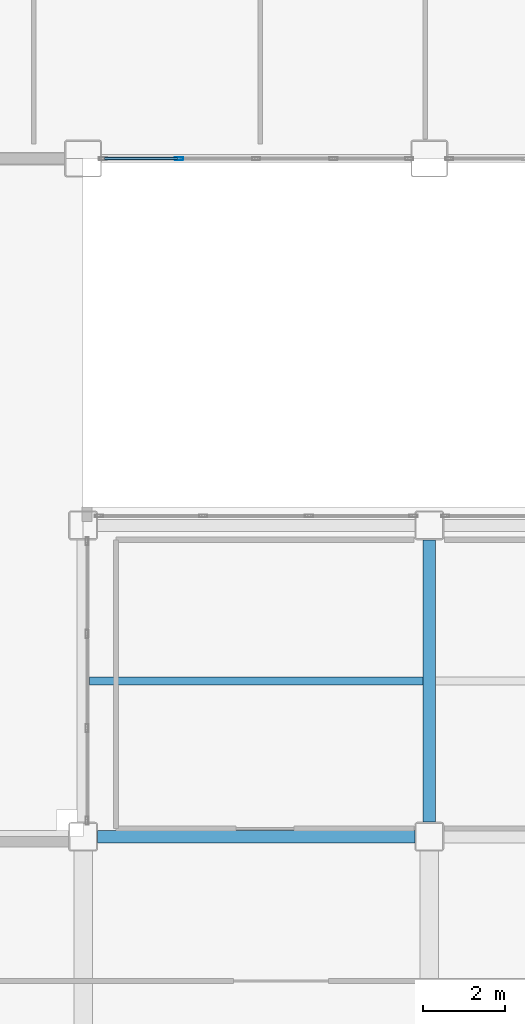
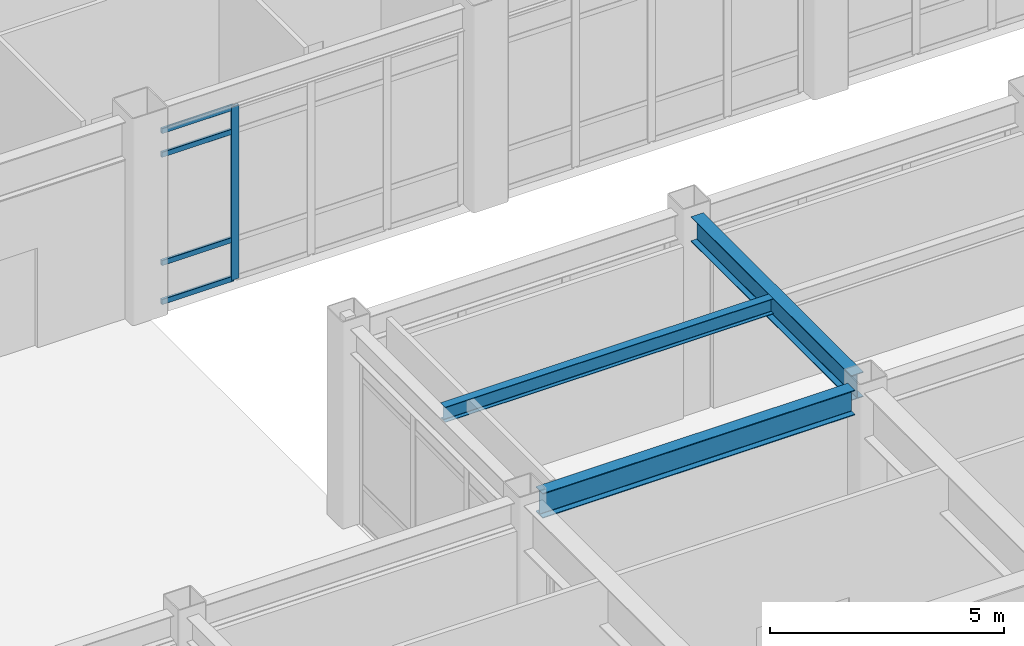
# One storey, part 25 of 165: 5 members, 3 beams, 1 element without a shape of its own.
"""IFC4 building model written with IfcOpenShell, lengths in metres."""

from ifc_helpers import new_model, si_unit, direction, frame, origin, origin_2d, place, context, subcontext, project, spatial, hollow_rectangle, i_section, extrude, material, layer, layer_set, material_profile, profile_set, type_object, element, aggregate, save


model = new_model("IFC4")

# Units and contexts
model_context = context("Model", 3, precision=1e-05, world=origin(), true_north=direction((0.0, 1.0)))
body_context = subcontext(model_context, "Body", "Model", "MODEL_VIEW")
ifc_project = project(units=[si_unit("LENGTHUNIT", "METRE"), si_unit("AREAUNIT", "SQUARE_METRE"), si_unit("VOLUMEUNIT", "CUBIC_METRE"), si_unit("PLANEANGLEUNIT", "RADIAN"), si_unit("MASSUNIT", "GRAM", prefix="KILO")], contexts=[model_context])

# Site, building, storey
site_placement = place(None, origin())
site = spatial("IfcSite", under=ifc_project, at=site_placement, CompositionType="ELEMENT")
building_placement = place(site_placement, origin())
building = spatial("IfcBuilding", under=site, at=building_placement, Name="Kazehara Bluff Congress Hotel", CompositionType="ELEMENT")
storey_placement = place(building_placement, origin())
storey = spatial("IfcBuildingStorey", under=building, at=storey_placement, Name="L00", CompositionType="ELEMENT", Elevation=0.0)

# Curtain wall, members
ifc_material_1 = material(Name="Anodised aluminium", Category="aluminium")
ifc_layer = layer(ifc_material_1, 0.159912109375)
ifc_layer_set = layer_set([ifc_layer], Name="Anodised aluminium")
curtain_wall_type = type_object("IfcCurtainWallType", Name="TP-CW-16", PredefinedType="NOTDEFINED", material=ifc_layer_set)
curtain_wall_placement = place(storey_placement, origin())
curtain_wall = element("IfcCurtainWall", 1, at=curtain_wall_placement, inside=storey, type_object=curtain_wall_type, Name="L00 curtain wall CW-16 CW-V1-L00-Y4845-2565", PredefinedType="NOTDEFINED")
ifc_material_2 = material(Name="Anodised aluminium", Category="aluminium")
ifc_material_profile_1 = material_profile(ifc_material_2, hollow_rectangle(XDim=0.070068359375, YDim=0.199951171875, WallThickness=0.0048828125, InnerFilletRadius=0.0048828125, OuterFilletRadius=0.010009765625, at=origin_2d()))
ifc_profile_set_1 = profile_set([ifc_material_profile_1], Name="Anodised aluminium")
member_type_1 = type_object("IfcMemberType", Name="TP-CWM-03", PredefinedType="MULLION", material=ifc_profile_set_1)
member_1_placement = place(storey_placement, frame((27.52490234375, 48.449951171875, 0.0), z_axis=(0.0, 0.0, 1.0), x_axis=(0.0, 1.0, 0.0)))
member_1 = element("IfcMember", 2, at=member_1_placement, type_object=member_type_1, Name="CW-16 mullion 2", PredefinedType="MULLION", context=body_context, shape_type="SweptSolid", body=[
    extrude(hollow_rectangle(XDim=0.070068359375, YDim=0.199951171875, WallThickness=0.0048828125, InnerFilletRadius=0.0048828125, OuterFilletRadius=0.010009765625, at=origin_2d()), origin(), (0.0, 0.0, 1.0), 4.52490234375),
])
ifc_material_3 = material(Name="Anodised aluminium", Category="aluminium")
ifc_material_profile_2 = material_profile(ifc_material_3, hollow_rectangle(XDim=0.06494140625, YDim=0.139892578125, WallThickness=0.00390625, InnerFilletRadius=0.00390625, OuterFilletRadius=0.008056640625, at=origin_2d()))
ifc_profile_set_2 = profile_set([ifc_material_profile_2], Name="Anodised aluminium")
member_type_2 = type_object("IfcMemberType", Name="TP-CWT-02", PredefinedType="USERDEFINED", material=ifc_profile_set_2)
member_2_placement = place(storey_placement, frame((25.719970703125, 48.449951171875, 0.032470703125), z_axis=(1.0, 0.0, 0.0), x_axis=(0.0, 1.0, 0.0)))
member_2 = element("IfcMember", 3, at=member_2_placement, type_object=member_type_2, Name="CW-16 transom 1.1", ObjectType="TRANSOM", PredefinedType="USERDEFINED", context=body_context, shape_type="SweptSolid", body=[
    extrude(hollow_rectangle(XDim=0.06494140625, YDim=0.139892578125, WallThickness=0.00390625, InnerFilletRadius=0.00390625, OuterFilletRadius=0.008056640625, at=origin_2d()), origin(), (0.0, 0.0, 1.0), 1.77001953125),
])
member_3_placement = place(storey_placement, frame((25.719970703125, 48.449951171875, 1.050048828125), z_axis=(1.0, 0.0, 0.0), x_axis=(0.0, 1.0, 0.0)))
member_3 = element("IfcMember", 4, at=member_3_placement, type_object=member_type_2, Name="CW-16 transom 1.2", ObjectType="TRANSOM", PredefinedType="USERDEFINED", context=body_context, shape_type="SweptSolid", body=[
    extrude(hollow_rectangle(XDim=0.06494140625, YDim=0.139892578125, WallThickness=0.00390625, InnerFilletRadius=0.00390625, OuterFilletRadius=0.008056640625, at=origin_2d()), origin(), (0.0, 0.0, 1.0), 1.77001953125),
])
member_4_placement = place(storey_placement, frame((25.719970703125, 48.449951171875, 3.875), z_axis=(1.0, 0.0, 0.0), x_axis=(0.0, 1.0, 0.0)))
member_4 = element("IfcMember", 5, at=member_4_placement, type_object=member_type_2, Name="CW-16 transom 1.3", ObjectType="TRANSOM", PredefinedType="USERDEFINED", context=body_context, shape_type="SweptSolid", body=[
    extrude(hollow_rectangle(XDim=0.06494140625, YDim=0.139892578125, WallThickness=0.00390625, InnerFilletRadius=0.00390625, OuterFilletRadius=0.008056640625, at=origin_2d()), origin(), (0.0, 0.0, 1.0), 1.77001953125),
])
member_5_placement = place(storey_placement, frame((25.719970703125, 48.449951171875, 4.492431640625), z_axis=(1.0, 0.0, 0.0), x_axis=(0.0, 1.0, 0.0)))
member_5 = element("IfcMember", 6, at=member_5_placement, type_object=member_type_2, Name="CW-16 transom 1.4", ObjectType="TRANSOM", PredefinedType="USERDEFINED", context=body_context, shape_type="SweptSolid", body=[
    extrude(hollow_rectangle(XDim=0.06494140625, YDim=0.139892578125, WallThickness=0.00390625, InnerFilletRadius=0.00390625, OuterFilletRadius=0.008056640625, at=origin_2d()), origin(), (0.0, 0.0, 1.0), 1.77001953125),
])
aggregate(curtain_wall, [member_1, member_2, member_3, member_4, member_5])

# Beams
ifc_material_4 = material(Name="Steel SN490B", Category="steel")
ifc_material_profile_3 = material_profile(ifc_material_4, i_section(OverallWidth=0.300048828125, OverallDepth=0.64990234375, WebThickness=0.011962890625, FlangeThickness=0.02001953125, FilletRadius=0.012939453125, at=origin_2d()))
ifc_profile_set_3 = profile_set([ifc_material_profile_3], Name="Steel SN490B")
beam_type_1 = type_object("IfcBeamType", Name="TP-G-03", PredefinedType="BEAM", material=ifc_profile_set_3)
beam_1_placement = place(storey_placement, frame((33.60009765625, 32.35009765625, 4.824951171875), z_axis=(0.0, 1.0, 0.0), x_axis=(-1.0, 0.0, 0.0)))
element("IfcBeam", 7, at=beam_1_placement, inside=storey, type_object=beam_type_1, Name="L00 girder G-03 57", PredefinedType="BEAM", context=body_context, shape_type="SweptSolid", body=[
    extrude(i_section(OverallWidth=0.300048828125, OverallDepth=0.64990234375, WebThickness=0.011962890625, FlangeThickness=0.02001953125, FilletRadius=0.012939453125, at=origin_2d()), origin(), (0.0, 0.0, 1.0), 6.849853515625),
])
beam_2_placement = place(storey_placement, frame((25.550048828125, 32.0, 4.824951171875), z_axis=(1.0, 0.0, 0.0), x_axis=(0.0, 1.0, 0.0)))
element("IfcBeam", 8, at=beam_2_placement, inside=storey, type_object=beam_type_1, Name="L00 girder G-03 91", PredefinedType="BEAM", context=body_context, shape_type="SweptSolid", body=[
    extrude(i_section(OverallWidth=0.300048828125, OverallDepth=0.64990234375, WebThickness=0.011962890625, FlangeThickness=0.02001953125, FilletRadius=0.012939453125, at=origin_2d()), origin(), (0.0, 0.0, 1.0), 7.699951171875),
])
ifc_material_5 = material(Name="Steel SN400B", Category="steel")
ifc_material_profile_4 = material_profile(ifc_material_5, i_section(OverallWidth=0.199951171875, OverallDepth=0.39990234375, WebThickness=0.008056640625, FlangeThickness=0.012939453125, FilletRadius=0.012939453125, at=origin_2d()))
ifc_profile_set_4 = profile_set([ifc_material_profile_4], Name="Steel SN400B")
beam_type_2 = type_object("IfcBeamType", Name="TP-J-03", PredefinedType="JOIST", material=ifc_profile_set_4)
beam_3_placement = place(storey_placement, frame((25.35009765625, 35.77490234375, 4.949951171875), z_axis=(1.0, 0.0, 0.0), x_axis=(0.0, 1.0, 0.0)))
element("IfcBeam", 9, at=beam_3_placement, inside=storey, type_object=beam_type_2, Name="L00 secondary joist J-03 5", PredefinedType="JOIST", context=body_context, shape_type="SweptSolid", body=[
    extrude(i_section(OverallWidth=0.199951171875, OverallDepth=0.39990234375, WebThickness=0.008056640625, FlangeThickness=0.012939453125, FilletRadius=0.012939453125, at=origin_2d()), origin(), (0.0, 0.0, 1.0), 8.099853515625),
])

save(model, "model.ifc")
